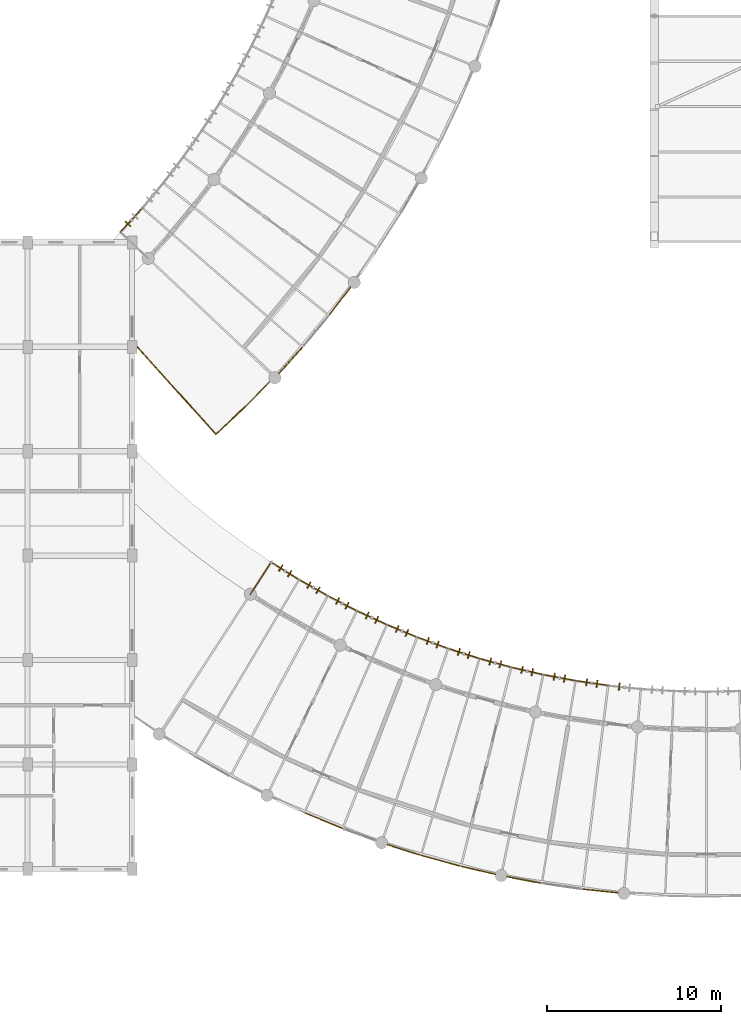
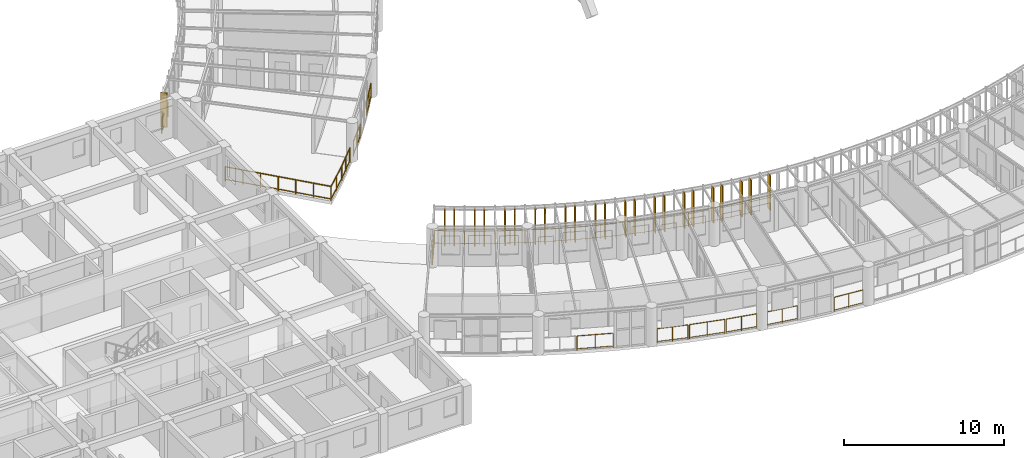
# One storey, part 110 of 123: 24 railings, 24 shading devices.
"""IFC4 building model written with IfcOpenShell, lengths in metres."""

from ifc_helpers import new_model, si_unit, direction, frame, origin, origin_2d, place, context, subcontext, project, spatial, rectangle, circle, extrude, material, layer, layer_set, type_object, element, save


model = new_model("IFC4")

# Units and contexts
model_context = context("Model", 3, precision=1e-05, world=origin(), true_north=direction((0.0, 1.0)))
body_context = subcontext(model_context, "Body", "Model", "MODEL_VIEW")
ifc_project = project(units=[si_unit("LENGTHUNIT", "METRE"), si_unit("AREAUNIT", "SQUARE_METRE"), si_unit("VOLUMEUNIT", "CUBIC_METRE"), si_unit("PLANEANGLEUNIT", "RADIAN"), si_unit("MASSUNIT", "GRAM", prefix="KILO"), si_unit("POWERUNIT", "WATT"), si_unit("THERMODYNAMICTEMPERATUREUNIT", "KELVIN")], contexts=[model_context])

# Site, building, storey
site_placement = place(None, origin())
site = spatial("IfcSite", under=ifc_project, at=site_placement, CompositionType="ELEMENT")
building_placement = place(site_placement, origin())
building = spatial("IfcBuilding", under=site, at=building_placement, Name="Ruvembo Vaulted Housing Court", CompositionType="ELEMENT")
storey_placement = place(building_placement, frame((0.0, 0.0, 7.699951171875)))
storey = spatial("IfcBuildingStorey", under=building, at=storey_placement, Name="L02", CompositionType="ELEMENT", Elevation=7.699951171875)

# Railings
ifc_material_1 = material(Name="Galvanised Painted Steel and Laminated Glass", Category="steel")
ifc_layer_1 = layer(ifc_material_1, 0.070068359375, Name="Galvanised Painted Steel and Laminated Glass")
ifc_layer_set_1 = layer_set([ifc_layer_1], Name="Galvanised Painted Steel and Laminated Glass")
railing_type_1 = type_object("IfcRailingType", Name="RL-BALUST-1120", PredefinedType="BALUSTRADE", material=ifc_layer_set_1)
railing_1_placement = place(storey_placement, frame((44.442626953125, 34.47900390625, 0.0)))
element("IfcRailing", 1, at=railing_1_placement, inside=storey, type_object=railing_type_1, Name="L02 Perimeter Guard RL-EXT-L02-0073", PredefinedType="BALUSTRADE", context=body_context, shape_type="SweptSolid", body=[
    extrude(circle(Radius=0.02392578125, at=origin_2d()), frame((0.0, 0.0, 1.09619140625), z_axis=(0.670893916211, 0.741553338062, 0.0), x_axis=(-0.741553338062, 0.670893916211, 0.0)), (0.0, 0.0, 1.0), 1.976318359375),
    extrude(circle(Radius=0.01806640625, at=origin_2d()), frame((0.0, 0.0, 0.1201171875), z_axis=(0.670893916211, 0.741553338062, 0.0), x_axis=(-0.741553338062, 0.670893916211, 0.0)), (0.0, 0.0, 1.0), 1.976318359375),
    extrude(circle(Radius=0.02099609375, at=origin_2d()), origin(), (0.0, 0.0, 1.0), 1.072021484375),
    extrude(circle(Radius=0.02099609375, at=origin_2d()), frame((0.6630859375, 0.73291015625, 0.0)), (0.0, 0.0, 1.0), 1.072021484375),
    extrude(circle(Radius=0.02099609375, at=origin_2d()), frame((1.325927734375, 1.465576171875, 0.0)), (0.0, 0.0, 1.0), 1.072021484375),
])
railing_2_placement = place(storey_placement, frame((47.35302734375, 37.847900390625, 0.0)))
element("IfcRailing", 2, at=railing_2_placement, inside=storey, type_object=railing_type_1, Name="L02 Perimeter Guard RL-EXT-L02-0074", PredefinedType="BALUSTRADE", context=body_context, shape_type="SweptSolid", body=[
    extrude(circle(Radius=0.02392578125, at=origin_2d()), frame((0.0, 0.0, 1.09619140625), z_axis=(0.607954304296, 0.793972017069, 0.0), x_axis=(-0.793972017069, 0.607954304296, 0.0)), (0.0, 0.0, 1.0), 1.9765625),
    extrude(circle(Radius=0.01806640625, at=origin_2d()), frame((0.0, 0.0, 0.1201171875), z_axis=(0.607954304296, 0.793972017069, 0.0), x_axis=(-0.793972017069, 0.607954304296, 0.0)), (0.0, 0.0, 1.0), 1.9765625),
    extrude(circle(Radius=0.02099609375, at=origin_2d()), origin(), (0.0, 0.0, 1.0), 1.072021484375),
    extrude(circle(Radius=0.02099609375, at=origin_2d()), frame((0.600830078125, 0.78466796875, 0.0)), (0.0, 0.0, 1.0), 1.072021484375),
    extrude(circle(Radius=0.02099609375, at=origin_2d()), frame((1.20166015625, 1.5693359375, 0.0)), (0.0, 0.0, 1.0), 1.072021484375),
])
railing_3_placement = place(storey_placement, frame((45.95263671875, 9.213134765625, 0.0)))
element("IfcRailing", 3, at=railing_3_placement, inside=storey, type_object=railing_type_1, Name="L02 Perimeter Guard RL-EXT-L02-0321", PredefinedType="BALUSTRADE", context=body_context, shape_type="SweptSolid", body=[
    extrude(circle(Radius=0.02392578125, at=origin_2d()), frame((0.0, 0.0, 1.09619140625), z_axis=(0.924177481842, -0.381963325538, 0.0), x_axis=(0.381963325538, 0.924177481842, 0.0)), (0.0, 0.0, 1.0), 2.276123046875),
    extrude(circle(Radius=0.01806640625, at=origin_2d()), frame((0.0, 0.0, 0.1201171875), z_axis=(0.924177481842, -0.381963325538, 0.0), x_axis=(0.381963325538, 0.924177481842, 0.0)), (0.0, 0.0, 1.0), 2.276123046875),
    extrude(circle(Radius=0.02099609375, at=origin_2d()), origin(), (0.0, 0.0, 1.0), 1.072021484375),
    extrude(circle(Radius=0.02099609375, at=origin_2d()), frame((1.0517578125, -0.4345703125, 0.0)), (0.0, 0.0, 1.0), 1.072021484375),
    extrude(circle(Radius=0.02099609375, at=origin_2d()), frame((2.103515625, -0.869384765625, 0.0)), (0.0, 0.0, 1.0), 1.072021484375),
])
railing_4_placement = place(storey_placement, frame((50.6669921875, 7.40185546875, 0.0)))
element("IfcRailing", 4, at=railing_4_placement, inside=storey, type_object=railing_type_1, Name="L02 Perimeter Guard RL-EXT-L02-0322", PredefinedType="BALUSTRADE", context=body_context, shape_type="SweptSolid", body=[
    extrude(circle(Radius=0.02392578125, at=origin_2d()), frame((0.0, 0.0, 1.09619140625), z_axis=(0.952538839292, -0.304417081714, 0.0), x_axis=(0.304417081714, 0.952538839292, 0.0)), (0.0, 0.0, 1.0), 1.97607421875),
    extrude(circle(Radius=0.01806640625, at=origin_2d()), frame((0.0, 0.0, 0.1201171875), z_axis=(0.952538839292, -0.304417081714, 0.0), x_axis=(0.304417081714, 0.952538839292, 0.0)), (0.0, 0.0, 1.0), 1.97607421875),
    extrude(circle(Radius=0.02099609375, at=origin_2d()), origin(), (0.0, 0.0, 1.0), 1.072021484375),
    extrude(circle(Radius=0.02099609375, at=origin_2d()), frame((0.941162109375, -0.30078125, 0.0)), (0.0, 0.0, 1.0), 1.072021484375),
    extrude(circle(Radius=0.02099609375, at=origin_2d()), frame((1.88232421875, -0.6015625, 0.0)), (0.0, 0.0, 1.0), 1.072021484375),
])
railing_5_placement = place(storey_placement, frame((52.64501953125, 6.771728515625, 0.0)))
element("IfcRailing", 5, at=railing_5_placement, inside=storey, type_object=railing_type_1, Name="L02 Perimeter Guard RL-EXT-L02-0323", PredefinedType="BALUSTRADE", context=body_context, shape_type="SweptSolid", body=[
    extrude(circle(Radius=0.02392578125, at=origin_2d()), frame((0.0, 0.0, 1.09619140625), z_axis=(0.964267067666, -0.264932108691, 0.0), x_axis=(0.264932108691, 0.964267067666, 0.0)), (0.0, 0.0, 1.0), 2.276123046875),
    extrude(circle(Radius=0.01806640625, at=origin_2d()), frame((0.0, 0.0, 0.1201171875), z_axis=(0.964267067666, -0.264932108691, 0.0), x_axis=(0.264932108691, 0.964267067666, 0.0)), (0.0, 0.0, 1.0), 2.276123046875),
    extrude(circle(Radius=0.02099609375, at=origin_2d()), origin(), (0.0, 0.0, 1.0), 1.072021484375),
    extrude(circle(Radius=0.02099609375, at=origin_2d()), frame((1.097412109375, -0.301513671875, 0.0)), (0.0, 0.0, 1.0), 1.072021484375),
    extrude(circle(Radius=0.02099609375, at=origin_2d()), frame((2.19482421875, -0.60302734375, 0.0)), (0.0, 0.0, 1.0), 1.072021484375),
])
railing_6_placement = place(storey_placement, frame((54.936767578125, 6.144287109375, 0.0)))
element("IfcRailing", 6, at=railing_6_placement, inside=storey, type_object=railing_type_1, Name="L02 Perimeter Guard RL-EXT-L02-0324", PredefinedType="BALUSTRADE", context=body_context, shape_type="SweptSolid", body=[
    extrude(circle(Radius=0.02392578125, at=origin_2d()), frame((0.0, 0.0, 1.09619140625), z_axis=(0.974359950311, -0.224994860451, 0.0), x_axis=(0.224994860451, 0.974359950311, 0.0)), (0.0, 0.0, 1.0), 1.97607421875),
    extrude(circle(Radius=0.01806640625, at=origin_2d()), frame((0.0, 0.0, 0.1201171875), z_axis=(0.974359950311, -0.224994860451, 0.0), x_axis=(0.224994860451, 0.974359950311, 0.0)), (0.0, 0.0, 1.0), 1.97607421875),
    extrude(circle(Radius=0.02099609375, at=origin_2d()), origin(), (0.0, 0.0, 1.0), 1.072021484375),
    extrude(circle(Radius=0.02099609375, at=origin_2d()), frame((0.962646484375, -0.22216796875, 0.0)), (0.0, 0.0, 1.0), 1.072021484375),
    extrude(circle(Radius=0.02099609375, at=origin_2d()), frame((1.92529296875, -0.444580078125, 0.0)), (0.0, 0.0, 1.0), 1.072021484375),
])
railing_7_placement = place(storey_placement, frame((57.547119140625, 5.556396484375, 0.0)))
element("IfcRailing", 7, at=railing_7_placement, inside=storey, type_object=railing_type_1, Name="L02 Perimeter Guard RL-EXT-L02-0325", PredefinedType="BALUSTRADE", context=body_context, shape_type="SweptSolid", body=[
    extrude(circle(Radius=0.02392578125, at=origin_2d()), frame((0.0, 0.0, 1.09619140625), z_axis=(0.982817596647, -0.184579445555, 0.0), x_axis=(0.184579445555, 0.982817596647, 0.0)), (0.0, 0.0, 1.0), 1.97607421875),
    extrude(circle(Radius=0.01806640625, at=origin_2d()), frame((0.0, 0.0, 0.1201171875), z_axis=(0.982817596647, -0.184579445555, 0.0), x_axis=(0.184579445555, 0.982817596647, 0.0)), (0.0, 0.0, 1.0), 1.97607421875),
    extrude(circle(Radius=0.02099609375, at=origin_2d()), origin(), (0.0, 0.0, 1.0), 1.072021484375),
    extrude(circle(Radius=0.02099609375, at=origin_2d()), frame((0.97119140625, -0.182373046875, 0.0)), (0.0, 0.0, 1.0), 1.072021484375),
    extrude(circle(Radius=0.02099609375, at=origin_2d()), frame((1.942138671875, -0.36474609375, 0.0)), (0.0, 0.0, 1.0), 1.072021484375),
])
railing_8_placement = place(storey_placement, frame((61.939208984375, 4.83544921875, 0.0)))
element("IfcRailing", 8, at=railing_8_placement, inside=storey, type_object=railing_type_1, Name="L02 Perimeter Guard RL-EXT-L02-0326", PredefinedType="BALUSTRADE", context=body_context, shape_type="SweptSolid", body=[
    extrude(circle(Radius=0.02392578125, at=origin_2d()), frame((0.0, 0.0, 1.09619140625), z_axis=(0.994677394502, -0.103038249536, 0.0), x_axis=(0.103038249536, 0.994677394502, 0.0)), (0.0, 0.0, 1.0), 1.97607421875),
    extrude(circle(Radius=0.01806640625, at=origin_2d()), frame((0.0, 0.0, 0.1201171875), z_axis=(0.994677394502, -0.103038249536, 0.0), x_axis=(0.103038249536, 0.994677394502, 0.0)), (0.0, 0.0, 1.0), 1.97607421875),
    extrude(circle(Radius=0.02099609375, at=origin_2d()), origin(), (0.0, 0.0, 1.0), 1.072021484375),
    extrude(circle(Radius=0.02099609375, at=origin_2d()), frame((0.98291015625, -0.101806640625, 0.0)), (0.0, 0.0, 1.0), 1.072021484375),
    extrude(circle(Radius=0.02099609375, at=origin_2d()), frame((1.965576171875, -0.20361328125, 0.0)), (0.0, 0.0, 1.0), 1.072021484375),
])
ifc_material_2 = material(Name="Galvanised Painted Steel S275", Category="steel")
ifc_layer_2 = layer(ifc_material_2, 0.06005859375, Name="Galvanised Painted Steel S275")
ifc_layer_set_2 = layer_set([ifc_layer_2], Name="Galvanised Painted Steel S275")
railing_type_2 = type_object("IfcRailingType", Name="RL-GUARD-1100", PredefinedType="GUARDRAIL", material=ifc_layer_set_2)
railing_9_placement = place(storey_placement, frame((35.32958984375, 42.5869140625, 0.0)))
element("IfcRailing", 9, at=railing_9_placement, inside=storey, type_object=railing_type_2, Name="L02 Perimeter Guard RL-EXT-L02-0053", PredefinedType="GUARDRAIL", context=body_context, shape_type="SweptSolid", body=[
    extrude(circle(Radius=0.02392578125, at=origin_2d()), frame((0.0, 0.0, 1.076171875), z_axis=(0.670766832997, 0.741668292265, 0.0), x_axis=(-0.741668292265, 0.670766832997, 0.0)), (0.0, 0.0, 1.0), 1.876708984375),
    extrude(circle(Radius=0.01806640625, at=origin_2d()), frame((0.0, 0.0, 0.1201171875), z_axis=(0.670766832997, 0.741668292265, 0.0), x_axis=(-0.741668292265, 0.670766832997, 0.0)), (0.0, 0.0, 1.0), 1.876708984375),
    extrude(circle(Radius=0.02099609375, at=origin_2d()), origin(), (0.0, 0.0, 1.0), 1.052001953125),
    extrude(circle(Radius=0.02099609375, at=origin_2d()), frame((0.62939453125, 0.69580078125, 0.0)), (0.0, 0.0, 1.0), 1.052001953125),
    extrude(circle(Radius=0.02099609375, at=origin_2d()), frame((1.2587890625, 1.391845703125, 0.0)), (0.0, 0.0, 1.0), 1.052001953125),
])
railing_10_placement = place(storey_placement, frame((42.79345703125, 21.785400390625, 0.0)))
element("IfcRailing", 10, at=railing_10_placement, inside=storey, type_object=railing_type_2, Name="L02 Perimeter Guard RL-EXT-L02-0288", PredefinedType="GUARDRAIL", context=body_context, shape_type="SweptSolid", body=[
    extrude(circle(Radius=0.02392578125, at=origin_2d()), frame((0.0, 0.0, 1.076171875), z_axis=(0.546013859183, 0.837776142881, 0.0), x_axis=(-0.837776142881, 0.546013859183, 0.0)), (0.0, 0.0, 1.0), 2.199951171875),
    extrude(circle(Radius=0.01806640625, at=origin_2d()), frame((0.0, 0.0, 0.1201171875), z_axis=(0.546013859183, 0.837776142881, 0.0), x_axis=(-0.837776142881, 0.546013859183, 0.0)), (0.0, 0.0, 1.0), 2.199951171875),
    extrude(circle(Radius=0.02099609375, at=origin_2d()), origin(), (0.0, 0.0, 1.0), 1.052001953125),
    extrude(circle(Radius=0.02099609375, at=origin_2d()), frame((0.6005859375, 0.92138671875, 0.0)), (0.0, 0.0, 1.0), 1.052001953125),
    extrude(circle(Radius=0.02099609375, at=origin_2d()), frame((1.201171875, 1.843017578125, 0.0)), (0.0, 0.0, 1.0), 1.052001953125),
])
railing_11_placement = place(storey_placement, frame((43.99462890625, 23.62841796875, 0.0)))
element("IfcRailing", 11, at=railing_11_placement, inside=storey, type_object=railing_type_2, Name="L02 Perimeter Guard RL-EXT-L02-0289", PredefinedType="GUARDRAIL", context=body_context, shape_type="SweptSolid", body=[
    extrude(circle(Radius=0.02392578125, at=origin_2d()), frame((0.0, 0.0, 1.076171875), z_axis=(0.848904567119, -0.52854615307, 0.0), x_axis=(0.52854615307, 0.848904567119, 0.0)), (0.0, 0.0, 1.0), 1.88916015625),
    extrude(circle(Radius=0.01806640625, at=origin_2d()), frame((0.0, 0.0, 0.1201171875), z_axis=(0.848904567119, -0.52854615307, 0.0), x_axis=(0.52854615307, 0.848904567119, 0.0)), (0.0, 0.0, 1.0), 1.88916015625),
    extrude(circle(Radius=0.02099609375, at=origin_2d()), origin(), (0.0, 0.0, 1.0), 1.052001953125),
    extrude(circle(Radius=0.02099609375, at=origin_2d()), frame((0.8017578125, -0.499267578125, 0.0)), (0.0, 0.0, 1.0), 1.052001953125),
    extrude(circle(Radius=0.02099609375, at=origin_2d()), frame((1.603759765625, -0.99853515625, 0.0)), (0.0, 0.0, 1.0), 1.052001953125),
])
railing_12_placement = place(storey_placement, frame((45.598388671875, 22.6298828125, 0.0)))
element("IfcRailing", 12, at=railing_12_placement, inside=storey, type_object=railing_type_2, Name="L02 Perimeter Guard RL-EXT-L02-0290", PredefinedType="GUARDRAIL", context=body_context, shape_type="SweptSolid", body=[
    extrude(circle(Radius=0.02392578125, at=origin_2d()), frame((0.0, 0.0, 1.076171875), z_axis=(0.869955662473, -0.493129947712, 0.0), x_axis=(0.493129947712, 0.869955662473, 0.0)), (0.0, 0.0, 1.0), 1.88916015625),
    extrude(circle(Radius=0.01806640625, at=origin_2d()), frame((0.0, 0.0, 0.1201171875), z_axis=(0.869955662473, -0.493129947712, 0.0), x_axis=(0.493129947712, 0.869955662473, 0.0)), (0.0, 0.0, 1.0), 1.88916015625),
    extrude(circle(Radius=0.02099609375, at=origin_2d()), origin(), (0.0, 0.0, 1.0), 1.052001953125),
    extrude(circle(Radius=0.02099609375, at=origin_2d()), frame((0.82177734375, -0.4658203125, 0.0)), (0.0, 0.0, 1.0), 1.052001953125),
    extrude(circle(Radius=0.02099609375, at=origin_2d()), frame((1.6435546875, -0.931640625, 0.0)), (0.0, 0.0, 1.0), 1.052001953125),
])
railing_13_placement = place(storey_placement, frame((47.241943359375, 21.6982421875, 0.0)))
element("IfcRailing", 13, at=railing_13_placement, inside=storey, type_object=railing_type_2, Name="L02 Perimeter Guard RL-EXT-L02-0291", PredefinedType="GUARDRAIL", context=body_context, shape_type="SweptSolid", body=[
    extrude(circle(Radius=0.02392578125, at=origin_2d()), frame((0.0, 0.0, 1.076171875), z_axis=(0.889568437347, -0.45680192127, 0.0), x_axis=(0.45680192127, 0.889568437347, 0.0)), (0.0, 0.0, 1.0), 1.889404296875),
    extrude(circle(Radius=0.01806640625, at=origin_2d()), frame((0.0, 0.0, 0.1201171875), z_axis=(0.889568437347, -0.45680192127, 0.0), x_axis=(0.45680192127, 0.889568437347, 0.0)), (0.0, 0.0, 1.0), 1.889404296875),
    extrude(circle(Radius=0.02099609375, at=origin_2d()), origin(), (0.0, 0.0, 1.0), 1.052001953125),
    extrude(circle(Radius=0.02099609375, at=origin_2d()), frame((0.84033203125, -0.431640625, 0.0)), (0.0, 0.0, 1.0), 1.052001953125),
    extrude(circle(Radius=0.02099609375, at=origin_2d()), frame((1.6806640625, -0.863037109375, 0.0)), (0.0, 0.0, 1.0), 1.052001953125),
])
railing_14_placement = place(storey_placement, frame((48.922607421875, 20.835205078125, 0.0)))
element("IfcRailing", 14, at=railing_14_placement, inside=storey, type_object=railing_type_2, Name="L02 Perimeter Guard RL-EXT-L02-0292", PredefinedType="GUARDRAIL", context=body_context, shape_type="SweptSolid", body=[
    extrude(circle(Radius=0.02392578125, at=origin_2d()), frame((0.0, 0.0, 1.076171875), z_axis=(0.907656578832, -0.419713634403, 0.0), x_axis=(0.419713634403, 0.907656578832, 0.0)), (0.0, 0.0, 1.0), 1.889404296875),
    extrude(circle(Radius=0.01806640625, at=origin_2d()), frame((0.0, 0.0, 0.1201171875), z_axis=(0.907656578832, -0.419713634403, 0.0), x_axis=(0.419713634403, 0.907656578832, 0.0)), (0.0, 0.0, 1.0), 1.889404296875),
    extrude(circle(Radius=0.02099609375, at=origin_2d()), origin(), (0.0, 0.0, 1.0), 1.052001953125),
    extrude(circle(Radius=0.02099609375, at=origin_2d()), frame((0.857421875, -0.396484375, 0.0)), (0.0, 0.0, 1.0), 1.052001953125),
    extrude(circle(Radius=0.02099609375, at=origin_2d()), frame((1.71484375, -0.79296875, 0.0)), (0.0, 0.0, 1.0), 1.052001953125),
])
railing_15_placement = place(storey_placement, frame((50.637451171875, 20.042236328125, 0.0)))
element("IfcRailing", 15, at=railing_15_placement, inside=storey, type_object=railing_type_2, Name="L02 Perimeter Guard RL-EXT-L02-0293", PredefinedType="GUARDRAIL", context=body_context, shape_type="SweptSolid", body=[
    extrude(circle(Radius=0.02392578125, at=origin_2d()), frame((0.0, 0.0, 1.076171875), z_axis=(0.924155321549, -0.38201693896, 0.0), x_axis=(0.38201693896, 0.924155321549, 0.0)), (0.0, 0.0, 1.0), 1.88916015625),
    extrude(circle(Radius=0.01806640625, at=origin_2d()), frame((0.0, 0.0, 0.1201171875), z_axis=(0.924155321549, -0.38201693896, 0.0), x_axis=(0.38201693896, 0.924155321549, 0.0)), (0.0, 0.0, 1.0), 1.88916015625),
    extrude(circle(Radius=0.02099609375, at=origin_2d()), origin(), (0.0, 0.0, 1.0), 1.052001953125),
    extrude(circle(Radius=0.02099609375, at=origin_2d()), frame((0.873046875, -0.36083984375, 0.0)), (0.0, 0.0, 1.0), 1.052001953125),
    extrude(circle(Radius=0.02099609375, at=origin_2d()), frame((1.745849609375, -0.7216796875, 0.0)), (0.0, 0.0, 1.0), 1.052001953125),
])
railing_16_placement = place(storey_placement, frame((52.38330078125, 19.320556640625, 0.0)))
element("IfcRailing", 16, at=railing_16_placement, inside=storey, type_object=railing_type_2, Name="L02 Perimeter Guard RL-EXT-L02-0294", PredefinedType="GUARDRAIL", context=body_context, shape_type="SweptSolid", body=[
    extrude(circle(Radius=0.02392578125, at=origin_2d()), frame((0.0, 0.0, 1.076171875), z_axis=(0.939165556371, -0.343464783824, 0.0), x_axis=(0.343464783824, 0.939165556371, 0.0)), (0.0, 0.0, 1.0), 1.889404296875),
    extrude(circle(Radius=0.01806640625, at=origin_2d()), frame((0.0, 0.0, 0.1201171875), z_axis=(0.939165556371, -0.343464783824, 0.0), x_axis=(0.343464783824, 0.939165556371, 0.0)), (0.0, 0.0, 1.0), 1.889404296875),
    extrude(circle(Radius=0.02099609375, at=origin_2d()), origin(), (0.0, 0.0, 1.0), 1.052001953125),
    extrude(circle(Radius=0.02099609375, at=origin_2d()), frame((0.88720703125, -0.324462890625, 0.0)), (0.0, 0.0, 1.0), 1.052001953125),
    extrude(circle(Radius=0.02099609375, at=origin_2d()), frame((1.7744140625, -0.64892578125, 0.0)), (0.0, 0.0, 1.0), 1.052001953125),
])
railing_17_placement = place(storey_placement, frame((54.15771484375, 18.671630859375, 0.0)))
element("IfcRailing", 17, at=railing_17_placement, inside=storey, type_object=railing_type_2, Name="L02 Perimeter Guard RL-EXT-L02-0295", PredefinedType="GUARDRAIL", context=body_context, shape_type="SweptSolid", body=[
    extrude(circle(Radius=0.02392578125, at=origin_2d()), frame((0.0, 0.0, 1.076171875), z_axis=(0.952526124364, -0.304456864605, 0.0), x_axis=(0.304456864605, 0.952526124364, 0.0)), (0.0, 0.0, 1.0), 1.88916015625),
    extrude(circle(Radius=0.01806640625, at=origin_2d()), frame((0.0, 0.0, 0.1201171875), z_axis=(0.952526124364, -0.304456864605, 0.0), x_axis=(0.304456864605, 0.952526124364, 0.0)), (0.0, 0.0, 1.0), 1.88916015625),
    extrude(circle(Radius=0.02099609375, at=origin_2d()), origin(), (0.0, 0.0, 1.0), 1.052001953125),
    extrude(circle(Radius=0.02099609375, at=origin_2d()), frame((0.89990234375, -0.28759765625, 0.0)), (0.0, 0.0, 1.0), 1.052001953125),
    extrude(circle(Radius=0.02099609375, at=origin_2d()), frame((1.799560546875, -0.5751953125, 0.0)), (0.0, 0.0, 1.0), 1.052001953125),
])
railing_18_placement = place(storey_placement, frame((55.957275390625, 18.096435546875, 0.0)))
element("IfcRailing", 18, at=railing_18_placement, inside=storey, type_object=railing_type_2, Name="L02 Perimeter Guard RL-EXT-L02-0296", PredefinedType="GUARDRAIL", context=body_context, shape_type="SweptSolid", body=[
    extrude(circle(Radius=0.02392578125, at=origin_2d()), frame((0.0, 0.0, 1.076171875), z_axis=(0.964240073493, -0.26503033915, 0.0), x_axis=(0.26503033915, 0.964240073493, 0.0)), (0.0, 0.0, 1.0), 1.889404296875),
    extrude(circle(Radius=0.01806640625, at=origin_2d()), frame((0.0, 0.0, 0.1201171875), z_axis=(0.964240073493, -0.26503033915, 0.0), x_axis=(0.26503033915, 0.964240073493, 0.0)), (0.0, 0.0, 1.0), 1.889404296875),
    extrude(circle(Radius=0.02099609375, at=origin_2d()), origin(), (0.0, 0.0, 1.0), 1.052001953125),
    extrude(circle(Radius=0.02099609375, at=origin_2d()), frame((0.910888671875, -0.25048828125, 0.0)), (0.0, 0.0, 1.0), 1.052001953125),
    extrude(circle(Radius=0.02099609375, at=origin_2d()), frame((1.82177734375, -0.500732421875, 0.0)), (0.0, 0.0, 1.0), 1.052001953125),
])
railing_19_placement = place(storey_placement, frame((57.779052734375, 17.595703125, 0.0)))
element("IfcRailing", 19, at=railing_19_placement, inside=storey, type_object=railing_type_2, Name="L02 Perimeter Guard RL-EXT-L02-0297", PredefinedType="GUARDRAIL", context=body_context, shape_type="SweptSolid", body=[
    extrude(circle(Radius=0.02392578125, at=origin_2d()), frame((0.0, 0.0, 1.076171875), z_axis=(0.974391195695, -0.224859506699, 0.0), x_axis=(0.224859506699, 0.974391195695, 0.0)), (0.0, 0.0, 1.0), 1.88916015625),
    extrude(circle(Radius=0.01806640625, at=origin_2d()), frame((0.0, 0.0, 0.1201171875), z_axis=(0.974391195695, -0.224859506699, 0.0), x_axis=(0.224859506699, 0.974391195695, 0.0)), (0.0, 0.0, 1.0), 1.88916015625),
    extrude(circle(Radius=0.02099609375, at=origin_2d()), origin(), (0.0, 0.0, 1.0), 1.052001953125),
    extrude(circle(Radius=0.02099609375, at=origin_2d()), frame((0.92041015625, -0.21240234375, 0.0)), (0.0, 0.0, 1.0), 1.052001953125),
    extrude(circle(Radius=0.02099609375, at=origin_2d()), frame((1.8408203125, -0.4248046875, 0.0)), (0.0, 0.0, 1.0), 1.052001953125),
])
railing_20_placement = place(storey_placement, frame((59.619873046875, 17.1708984375, 0.0)))
element("IfcRailing", 20, at=railing_20_placement, inside=storey, type_object=railing_type_2, Name="L02 Perimeter Guard RL-EXT-L02-0298", PredefinedType="GUARDRAIL", context=body_context, shape_type="SweptSolid", body=[
    extrude(circle(Radius=0.02392578125, at=origin_2d()), frame((0.0, 0.0, 1.076171875), z_axis=(0.982804832401, -0.184647397515, 0.0), x_axis=(0.184647397515, 0.982804832401, 0.0)), (0.0, 0.0, 1.0), 1.889404296875),
    extrude(circle(Radius=0.01806640625, at=origin_2d()), frame((0.0, 0.0, 0.1201171875), z_axis=(0.982804832401, -0.184647397515, 0.0), x_axis=(0.184647397515, 0.982804832401, 0.0)), (0.0, 0.0, 1.0), 1.889404296875),
    extrude(circle(Radius=0.02099609375, at=origin_2d()), origin(), (0.0, 0.0, 1.0), 1.052001953125),
    extrude(circle(Radius=0.02099609375, at=origin_2d()), frame((0.928466796875, -0.17431640625, 0.0)), (0.0, 0.0, 1.0), 1.052001953125),
    extrude(circle(Radius=0.02099609375, at=origin_2d()), frame((1.85693359375, -0.348876953125, 0.0)), (0.0, 0.0, 1.0), 1.052001953125),
])
railing_21_placement = place(storey_placement, frame((61.476806640625, 16.822021484375, 0.0)))
element("IfcRailing", 21, at=railing_21_placement, inside=storey, type_object=railing_type_2, Name="L02 Perimeter Guard RL-EXT-L02-0299", PredefinedType="GUARDRAIL", context=body_context, shape_type="SweptSolid", body=[
    extrude(circle(Radius=0.02392578125, at=origin_2d()), frame((0.0, 0.0, 1.076171875), z_axis=(0.989600158039, -0.143845497701, 0.0), x_axis=(0.143845497701, 0.989600158039, 0.0)), (0.0, 0.0, 1.0), 1.888916015625),
    extrude(circle(Radius=0.01806640625, at=origin_2d()), frame((0.0, 0.0, 0.1201171875), z_axis=(0.989600158039, -0.143845497701, 0.0), x_axis=(0.143845497701, 0.989600158039, 0.0)), (0.0, 0.0, 1.0), 1.888916015625),
    extrude(circle(Radius=0.02099609375, at=origin_2d()), origin(), (0.0, 0.0, 1.0), 1.052001953125),
    extrude(circle(Radius=0.02099609375, at=origin_2d()), frame((0.9345703125, -0.1357421875, 0.0)), (0.0, 0.0, 1.0), 1.052001953125),
    extrude(circle(Radius=0.02099609375, at=origin_2d()), frame((1.869384765625, -0.271728515625, 0.0)), (0.0, 0.0, 1.0), 1.052001953125),
])
railing_22_placement = place(storey_placement, frame((43.906005859375, 33.99755859375, 0.0)))
element("IfcRailing", 22, at=railing_22_placement, inside=storey, type_object=railing_type_2, Name="L02 Perimeter Guard RL-EXT-L02-0892", PredefinedType="GUARDRAIL", context=body_context, shape_type="SweptSolid", body=[
    extrude(circle(Radius=0.02392578125, at=origin_2d()), frame((0.0, 0.0, 1.076171875), z_axis=(-0.700626138518, -0.713528565669, 0.0), x_axis=(0.713528565669, -0.700626138518, 0.0)), (0.0, 0.0, 1.0), 2.005859375),
    extrude(circle(Radius=0.01806640625, at=origin_2d()), frame((0.0, 0.0, 0.1201171875), z_axis=(-0.700626138518, -0.713528565669, 0.0), x_axis=(0.713528565669, -0.700626138518, 0.0)), (0.0, 0.0, 1.0), 2.005859375),
    extrude(circle(Radius=0.02099609375, at=origin_2d()), origin(), (0.0, 0.0, 1.0), 1.052001953125),
    extrude(circle(Radius=0.02099609375, at=origin_2d()), frame((-0.70263671875, -0.715576171875, 0.0)), (0.0, 0.0, 1.0), 1.052001953125),
    extrude(circle(Radius=0.02099609375, at=origin_2d()), frame((-1.4052734375, -1.43115234375, 0.0)), (0.0, 0.0, 1.0), 1.052001953125),
])
railing_23_placement = place(storey_placement, frame((42.500732421875, 32.56640625, 0.0)))
element("IfcRailing", 23, at=railing_23_placement, inside=storey, type_object=railing_type_2, Name="L02 Perimeter Guard RL-EXT-L02-0893", PredefinedType="GUARDRAIL", context=body_context, shape_type="SweptSolid", body=[
    extrude(circle(Radius=0.02392578125, at=origin_2d()), frame((0.0, 0.0, 1.076171875), z_axis=(-0.729326576297, -0.684165729269, 0.0), x_axis=(0.684165729269, -0.729326576297, 0.0)), (0.0, 0.0, 1.0), 2.313720703125),
    extrude(circle(Radius=0.01806640625, at=origin_2d()), frame((0.0, 0.0, 0.1201171875), z_axis=(-0.729326576297, -0.684165729269, 0.0), x_axis=(0.684165729269, -0.729326576297, 0.0)), (0.0, 0.0, 1.0), 2.313720703125),
    extrude(circle(Radius=0.02099609375, at=origin_2d()), origin(), (0.0, 0.0, 1.0), 1.052001953125),
    extrude(circle(Radius=0.02099609375, at=origin_2d()), frame((-0.84375, -0.79150390625, 0.0)), (0.0, 0.0, 1.0), 1.052001953125),
    extrude(circle(Radius=0.02099609375, at=origin_2d()), frame((-1.6875, -1.5830078125, 0.0)), (0.0, 0.0, 1.0), 1.052001953125),
])
railing_24_placement = place(storey_placement, frame((40.813232421875, 30.9833984375, 0.0)))
element("IfcRailing", 24, at=railing_24_placement, inside=storey, type_object=railing_type_2, Name="L02 Perimeter Guard RL-EXT-L02-0894", PredefinedType="GUARDRAIL", context=body_context, shape_type="SweptSolid", body=[
    extrude(circle(Radius=0.02392578125, at=origin_2d()), frame((0.0, 0.0, 1.076171875), z_axis=(-0.669137902015, 0.743138256375, 0.0), x_axis=(-0.743138256375, -0.669137902015, 0.0)), (0.0, 0.0, 1.0), 6.931640625),
    extrude(circle(Radius=0.01806640625, at=origin_2d()), frame((0.0, 0.0, 0.1201171875), z_axis=(-0.669137902015, 0.743138256375, 0.0), x_axis=(-0.743138256375, -0.669137902015, 0.0)), (0.0, 0.0, 1.0), 6.931640625),
    extrude(circle(Radius=0.02099609375, at=origin_2d()), origin(), (0.0, 0.0, 1.0), 1.052001953125),
    extrude(circle(Radius=0.02099609375, at=origin_2d()), frame((-0.77294921875, 0.8583984375, 0.0)), (0.0, 0.0, 1.0), 1.052001953125),
    extrude(circle(Radius=0.02099609375, at=origin_2d()), frame((-1.546142578125, 1.717041015625, 0.0)), (0.0, 0.0, 1.0), 1.052001953125),
    extrude(circle(Radius=0.02099609375, at=origin_2d()), frame((-2.319091796875, 2.57568359375, 0.0)), (0.0, 0.0, 1.0), 1.052001953125),
    extrude(circle(Radius=0.02099609375, at=origin_2d()), frame((-3.092041015625, 3.43408203125, 0.0)), (0.0, 0.0, 1.0), 1.052001953125),
    extrude(circle(Radius=0.02099609375, at=origin_2d()), frame((-3.865234375, 4.29248046875, 0.0)), (0.0, 0.0, 1.0), 1.052001953125),
    extrude(circle(Radius=0.02099609375, at=origin_2d()), frame((-4.63818359375, 5.151123046875, 0.0)), (0.0, 0.0, 1.0), 1.052001953125),
])

# Shading devices
ifc_material_3 = material(Name="Kiln-Fired Terracotta Extrusion", Category="masonry")
shading_device_type = type_object("IfcShadingDeviceType", Name="SHD-FIN-420", PredefinedType="USERDEFINED", material=ifc_material_3)
shading_device_placement = place(storey_placement, frame((35.7578125, 43.060302734375, 0.0498046875), z_axis=(0.0, 0.0, 1.0), x_axis=(0.741601288413, -0.670840911859, 0.0)))
element("IfcShadingDevice", 25, at=shading_device_placement, inside=storey, type_object=shading_device_type, Name="Terracotta Brise-Soleil Fin #39", ObjectType="FIN", PredefinedType="USERDEFINED", context=body_context, shape_type="SweptSolid", body=[
    extrude(rectangle(XDim=0.419921875, YDim=0.06494140625, at=origin_2d()), origin(), (0.0, 0.0, 1.0), 2.613037109375),
])
for number, where, z_axis, x_axis, name in (
    (26, (44.541748046875, 23.287841796875, 0.0498046875), (0.0, 0.0, 1.0), (-0.528556868381, -0.848897895443, 0.0), "Terracotta Brise-Soleil Fin #247"),
    (27, (45.05126953125, 22.970703125, 0.0498046875), (0.0, 0.0, 1.0), (-0.528556868381, -0.848897895443, 0.0), "Terracotta Brise-Soleil Fin #248"),
    (28, (46.1591796875, 22.31201171875, 0.0498046875), (0.0, 0.0, 1.0), (-0.493106983922, -0.86996867898, 0.0), "Terracotta Brise-Soleil Fin #249"),
    (29, (46.68115234375, 22.01611328125, 0.0498046875), (0.0, 0.0, 1.0), (-0.493106983922, -0.86996867898, 0.0), "Terracotta Brise-Soleil Fin #250"),
    (30, (47.8154296875, 21.40380859375, 0.0498046875), (0.0, 0.0, 1.0), (-0.456849537333, -0.889543984432, 0.0), "Terracotta Brise-Soleil Fin #251"),
    (31, (48.34912109375, 21.129638671875, 0.0498046875), (0.0, 0.0, 1.0), (-0.456849537333, -0.889543984432, 0.0), "Terracotta Brise-Soleil Fin #252"),
    (32, (49.5078125, 20.564697265625, 0.0498046875), (0.0, 0.0, 1.0), (-0.419737248448, -0.90764565898, 0.0), "Terracotta Brise-Soleil Fin #253"),
    (33, (50.05224609375, 20.312744140625, 0.0498046875), (0.0, 0.0, 1.0), (-0.419737248448, -0.90764565898, 0.0), "Terracotta Brise-Soleil Fin #254"),
    (34, (51.233154296875, 19.7958984375, 0.0498046875), (0.0, 0.0, 1.0), (-0.381957701122, -0.924179806398, 0.0), "Terracotta Brise-Soleil Fin #255"),
    (35, (51.78759765625, 19.56689453125, 0.0498046875), (0.0, 0.0, 1.0), (-0.381957701122, -0.924179806398, 0.0), "Terracotta Brise-Soleil Fin #256"),
    (36, (52.98876953125, 19.09912109375, 0.0498046875), (0.0, 0.0, 1.0), (-0.343512177766, -0.939148222447, 0.0), "Terracotta Brise-Soleil Fin #257"),
    (37, (53.55224609375, 18.89306640625, 0.0498046875), (0.0, 0.0, 1.0), (-0.343512177766, -0.939148222447, 0.0), "Terracotta Brise-Soleil Fin #258"),
    (38, (54.771728515625, 18.475341796875, 0.0498046875), (0.0, 0.0, 1.0), (-0.304448708958, -0.952528731122, 0.0), "Terracotta Brise-Soleil Fin #259"),
    (39, (55.34326171875, 18.292724609375, 0.0498046875), (0.0, 0.0, 1.0), (-0.304448708958, -0.952528731122, 0.0), "Terracotta Brise-Soleil Fin #260"),
    (40, (56.578857421875, 17.925537109375, 0.0498046875), (0.0, 0.0, 1.0), (-0.264983965035, -0.96425281865, 0.0), "Terracotta Brise-Soleil Fin #261"),
    (41, (57.157470703125, 17.7666015625, 0.0498046875), (0.0, 0.0, 1.0), (-0.264983965035, -0.96425281865, 0.0), "Terracotta Brise-Soleil Fin #262"),
    (42, (58.406982421875, 17.45068359375, 0.0498046875), (0.0, 0.0, 1.0), (-0.224951054344, -0.974370064785, 0.0), "Terracotta Brise-Soleil Fin #263"),
    (43, (58.99169921875, 17.31591796875, 0.0498046875), (0.0, 0.0, 1.0), (-0.224951054344, -0.974370064785, 0.0), "Terracotta Brise-Soleil Fin #264"),
    (44, (60.25341796875, 17.0517578125, 0.0498046875), (0.0, 0.0, 1.0), (-0.184568910756, -0.982819575091, 0.0), "Terracotta Brise-Soleil Fin #265"),
    (45, (60.843017578125, 16.941162109375, 0.0498046875), (0.0, 0.0, 1.0), (-0.184568910756, -0.982819575091, 0.0), "Terracotta Brise-Soleil Fin #266"),
    (46, (62.114501953125, 16.7294921875, 0.0498046875), (0.0, 0.0, 1.0), (-0.143872610257, -0.989596216655, 0.0), "Terracotta Brise-Soleil Fin #267"),
    (47, (62.70849609375, 16.64306640625, 0.0498046875), (0.0, 0.0, 1.0), (-0.143872610257, -0.989596216655, 0.0), "Terracotta Brise-Soleil Fin #268"),
    (48, (63.987548828125, 16.48388671875, 0.0498046875), (0.0, 0.0, 1.0), (-0.102948783072, -0.994686658232, 0.0), "Terracotta Brise-Soleil Fin #269"),
):
    element("IfcShadingDevice", number, at=place(storey_placement, frame(where, z_axis=z_axis, x_axis=x_axis)), inside=storey, type_object=shading_device_type, Name=name, ObjectType="FIN", PredefinedType="USERDEFINED", context=body_context, shape_type="SweptSolid", body=[
        extrude(rectangle(XDim=0.419921875, YDim=0.06494140625, at=origin_2d()), origin(), (0.0, 0.0, 1.0), 2.653076171875),
    ])

save(model, "model.ifc")
